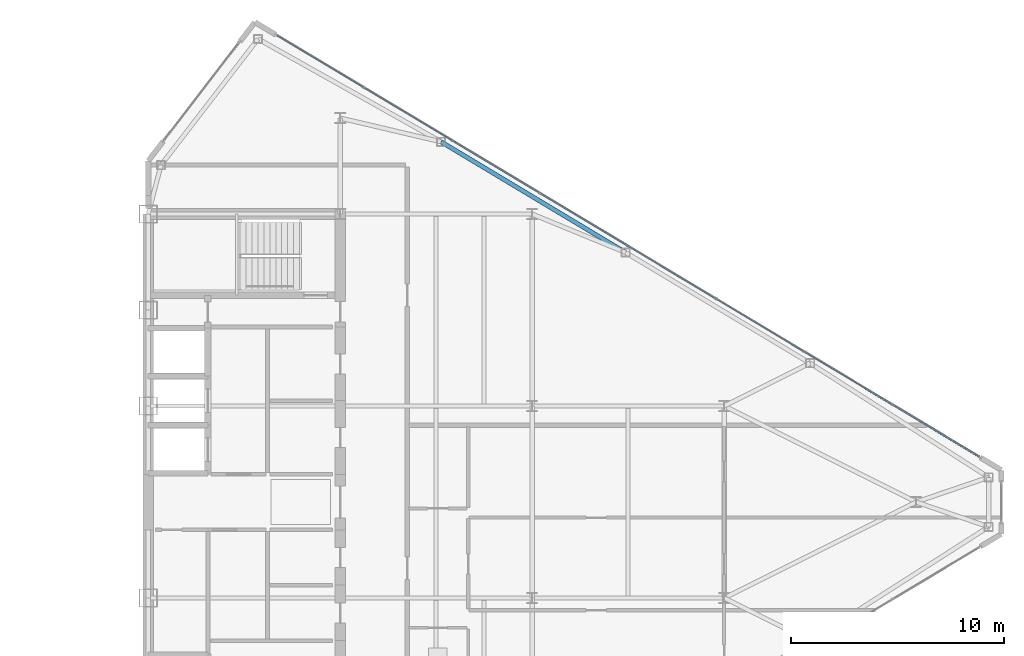
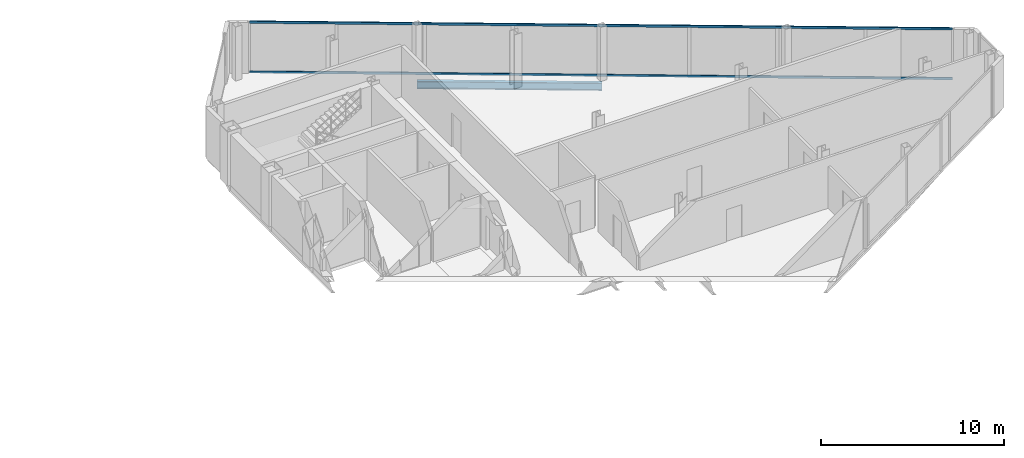
# One storey, part 16 of 25: 2 members, 1 beam, 1 element without a shape of its own.
"""IFC4 building model written with IfcOpenShell, lengths in metres."""

from ifc_helpers import new_model, si_unit, direction, frame, origin, origin_2d, place, context, subcontext, project, spatial, rectangle, i_section, extrude, source, transform, mapped, material, layer, layer_set, material_profile, profile_set, type_object, type_shapes, element, aggregate, save


model = new_model("IFC4")

# Units and contexts
model_context = context("Model", 3, precision=1e-05, world=origin(), true_north=direction((0.0, 1.0)))
body_context = subcontext(model_context, "Body", "Model", "MODEL_VIEW")
ifc_project = project(units=[si_unit("LENGTHUNIT", "METRE"), si_unit("AREAUNIT", "SQUARE_METRE"), si_unit("VOLUMEUNIT", "CUBIC_METRE"), si_unit("PLANEANGLEUNIT", "RADIAN"), si_unit("MASSUNIT", "GRAM", prefix="KILO")], contexts=[model_context])

# Site, building, storey
site_placement = place(None, origin())
site = spatial("IfcSite", under=ifc_project, at=site_placement, CompositionType="ELEMENT")
building_placement = place(site_placement, origin())
building = spatial("IfcBuilding", under=site, at=building_placement, Name="Seokmaru Belvedere", CompositionType="ELEMENT")
storey_placement = place(building_placement, frame((0.0, 0.0, 210.300048828125)))
storey = spatial("IfcBuildingStorey", under=building, at=storey_placement, Name="L56", CompositionType="ELEMENT", Elevation=210.300048828125)

# Beam
ifc_material_1 = material(Name="Steel SM355 (355 MPa)", Category="steel")
ifc_material_profile_1 = material_profile(ifc_material_1, i_section(OverallWidth=0.199951171875, OverallDepth=0.5, WebThickness=0.010009765625, FlangeThickness=0.01611328125, at=origin_2d()), Name="H-500x200x10x16")
ifc_profile_set_1 = profile_set([ifc_material_profile_1], Name="Steel SM355 (355 MPa)")
beam_type = type_object("IfcBeamType", Name="Perimeter Spandrel Beam H-500", PredefinedType="SPANDREL", material=ifc_profile_set_1)
shared_shape_1 = source(origin(), body_context, "Body", "SweptSolid", [
    extrude(i_section(OverallWidth=0.199951171875, OverallDepth=0.5, WebThickness=0.010009765625, FlangeThickness=0.01611328125, at=origin_2d()), origin(), (0.0, 0.0, 1.0), 10.087646484375),
])
type_shapes(beam_type, [shared_shape_1])
beam_placement = place(storey_placement, frame((41.229736328125, 16.888916015625, -0.469970703125), z_axis=(0.857499332045, -0.514485078056, 0.0), x_axis=(0.514485078056, 0.857499332045, 0.0)))
element("IfcBeam", 1, at=beam_placement, inside=storey, type_object=beam_type, Name="L56 E Faceted Flank Spandrel N-2", PredefinedType="SPANDREL", context=body_context, shape_type="MappedRepresentation", body=[
    mapped(shared_shape_1, transform((0.0, 0.0, 0.0), scale=1.0)),
])

# Curtain wall, members
ifc_material_2 = material(Name="Bronze Triple Insulating Glass", Category="glass")
ifc_layer = layer(ifc_material_2, 0.179931640625)
ifc_layer_set = layer_set([ifc_layer], Name="Bronze Triple Insulating Glass")
curtain_wall_type = type_object("IfcCurtainWallType", Name="High-Rise Wind-Corner Curtain Wall System CW-5", PredefinedType="NOTDEFINED", material=ifc_layer_set)
curtain_wall_placement = place(storey_placement, origin())
curtain_wall = element("IfcCurtainWall", 2, at=curtain_wall_placement, inside=storey, type_object=curtain_wall_type, Name="L56 Curtain Wall EF3", PredefinedType="NOTDEFINED")
ifc_material_3 = material(Name="Anodised Bronze Aluminium", Category="aluminium")
ifc_material_profile_2 = material_profile(ifc_material_3, rectangle(XDim=0.06494140625, YDim=0.14990234375, at=origin_2d()), Name="CW-T-65x150")
ifc_profile_set_2 = profile_set([ifc_material_profile_2], Name="Anodised Bronze Aluminium")
member_type = type_object("IfcMemberType", Name="Bronze Unitised Transom 65x150", PredefinedType="USERDEFINED", material=ifc_profile_set_2)
shared_shape_2 = source(origin(), body_context, "Body", "SweptSolid", [
    extrude(rectangle(XDim=0.06494140625, YDim=0.14990234375, at=origin_2d()), origin(), (0.0, 0.0, 1.0), 38.386962890625),
])
type_shapes(member_type, [shared_shape_2])
member_1_placement = place(storey_placement, frame((66.458251953125, 2.125, 0.032470703125), z_axis=(-0.85749180336, 0.514497626011, 0.0), x_axis=(-0.514497626011, -0.85749180336, 0.0)))
member_1 = element("IfcMember", 3, at=member_1_placement, type_object=member_type, Name="CW:L56:EF3 Continuous Transom 1", ObjectType="TRANSOM", PredefinedType="USERDEFINED", context=body_context, shape_type="MappedRepresentation", body=[
    mapped(shared_shape_2, transform((0.0, 0.0, 0.0), scale=1.0)),
])
member_2_placement = place(storey_placement, frame((66.458251953125, 2.125, 3.347412109375), z_axis=(-0.85749180336, 0.514497626011, 0.0), x_axis=(-0.514497626011, -0.85749180336, 0.0)))
member_2 = element("IfcMember", 4, at=member_2_placement, type_object=member_type, Name="CW:L56:EF3 Continuous Transom 2", ObjectType="TRANSOM", PredefinedType="USERDEFINED", context=body_context, shape_type="MappedRepresentation", body=[
    mapped(shared_shape_2, transform((0.0, 0.0, 0.0), scale=1.0)),
])
aggregate(curtain_wall, [member_1, member_2])

save(model, "model.ifc")
